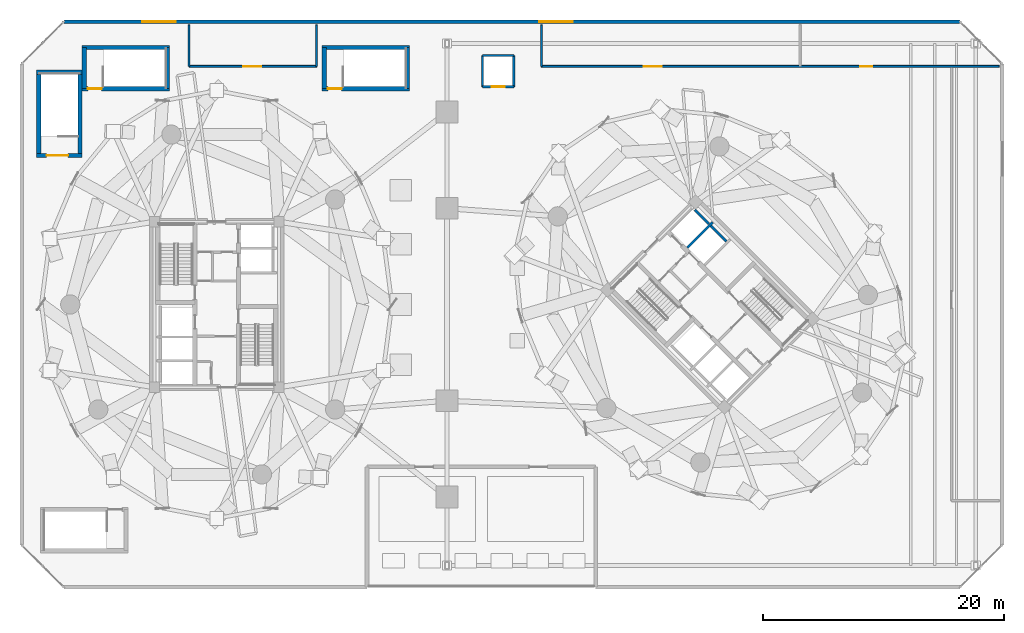
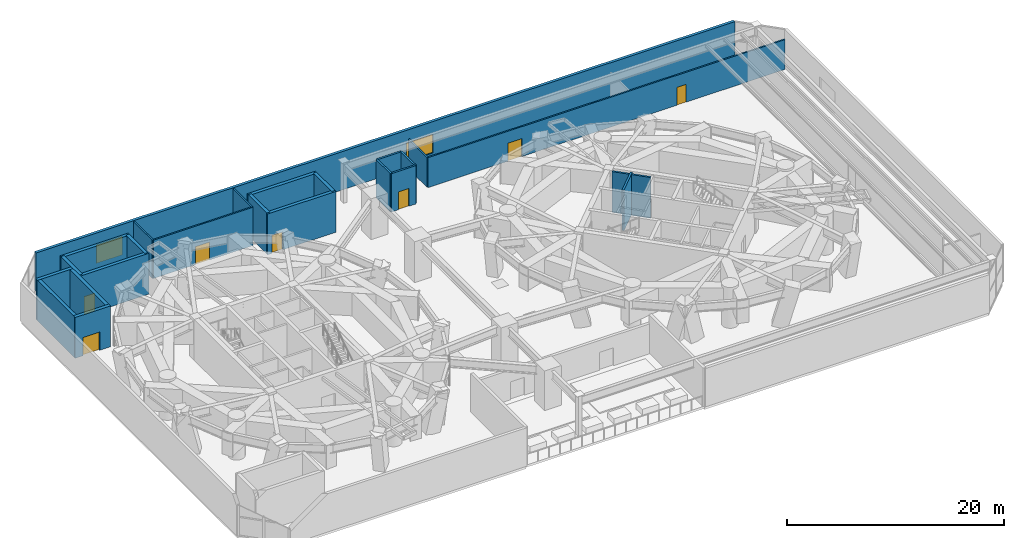
# One storey, part 19 of 25: 25 walls, 7 doors, 2 windows, 9 openings.
"""IFC4 building model written with IfcOpenShell, lengths in metres."""

import ifcopenshell
import ifcopenshell.guid

model = None  # the IFC model being written
_history = None  # IfcOwnerHistory: only IFC2X3 demands one
_inside = {}  # id of a spatial element -> (the spatial element, [elements in it])
_under = {}  # id of a project, library or spatial element -> (it, [spatial elements below it])
_declared = {}  # id of a project -> (the project, [libraries it declares])
_typed = {}  # id of a type object -> (the type object, [elements of that type])
_made_of = {}  # id of a material, layer set ... -> (it, [elements and type objects made of it])


def new_model(schema):
    """Start an empty IFC model of exactly this schema.

    Asked for "IFC4X3", IfcOpenShell would pick the latest addendum, in which some entities
    have other attributes; the version numbers below select the first issue.
    IFC2X3 requires an IfcOwnerHistory on every rooted entity: one is made here for all.
    """
    global model, _history
    if schema == "IFC4X3":
        model = ifcopenshell.file(schema_version=(4, 3, 0, 0))
    else:
        model = ifcopenshell.file(schema=schema)
    _inside.clear()
    _under.clear()
    _declared.clear()
    _typed.clear()
    _made_of.clear()
    _history = None
    if model.schema == "IFC2X3":
        org = make("IfcOrganization", Name="unknown")
        user = make(
            "IfcPersonAndOrganization",
            ThePerson=make("IfcPerson", FamilyName="unknown"),
            TheOrganization=org,
        )
        app = make(
            "IfcApplication",
            ApplicationDeveloper=org,
            Version="unknown",
            ApplicationFullName="unknown",
            ApplicationIdentifier="unknown",
        )
        _history = make(
            "IfcOwnerHistory",
            OwningUser=user,
            OwningApplication=app,
            ChangeAction="ADDED",
            CreationDate=0,
        )
    return model


def make(cls, **values):
    """One entity of the class cls with the attributes given. An attribute that is None is left unset."""
    return model.create_entity(
        cls, **{name: value for name, value in values.items() if value is not None}
    )


def rooted(cls, **values):
    """An entity with a GlobalId (a new one), such as an element, a storey or a relation."""
    return make(cls, GlobalId=ifcopenshell.guid.new(), OwnerHistory=_history, **values)


def si_unit(unit_type, name, prefix=None):
    """IfcSIUnit, for example si_unit("LENGTHUNIT", "METRE", prefix="MILLI")."""
    return make("IfcSIUnit", UnitType=unit_type, Prefix=prefix, Name=name)


def assignment(units):
    """IfcUnitAssignment: the units of a project."""
    return None if units is None else make("IfcUnitAssignment", Units=units)


def point(xyz):
    """IfcCartesianPoint."""
    return None if xyz is None else make("IfcCartesianPoint", Coordinates=xyz)


def direction(xyz):
    """IfcDirection."""
    return None if xyz is None else make("IfcDirection", DirectionRatios=xyz)


def frame(location, z_axis=None, x_axis=None):
    """IfcAxis2Placement3D, a coordinate frame: its origin and axes. An axis left out is left unset."""
    return make(
        "IfcAxis2Placement3D",
        Location=point(location),
        Axis=direction(z_axis),
        RefDirection=direction(x_axis),
    )


def frame_2d(location, x_axis=None):
    """IfcAxis2Placement2D, a coordinate frame in the plane: its origin and x axis."""
    return make(
        "IfcAxis2Placement2D", Location=point(location), RefDirection=direction(x_axis)
    )


def origin():
    """The frame at (0, 0, 0) with its axes left unset."""
    return frame((0.0, 0.0, 0.0))


def place(relative_to, where):
    """IfcLocalPlacement: puts the frame where relative to a parent placement (None: the world)."""
    return make(
        "IfcLocalPlacement", PlacementRelTo=relative_to, RelativePlacement=where
    )


def context(
    kind, dimensions, precision=None, world=None, true_north=None, identifier=None
):
    """IfcGeometricRepresentationContext, for example the 3D "Model" context."""
    return make(
        "IfcGeometricRepresentationContext",
        ContextIdentifier=identifier,
        ContextType=kind,
        CoordinateSpaceDimension=dimensions,
        Precision=precision,
        WorldCoordinateSystem=world,
        TrueNorth=true_north,
    )


def subcontext(parent, identifier, kind, view, scale=None):
    """IfcGeometricRepresentationSubContext, for example "Body" below "Model"."""
    return make(
        "IfcGeometricRepresentationSubContext",
        ContextIdentifier=identifier,
        ContextType=kind,
        ParentContext=parent,
        TargetScale=scale,
        TargetView=view,
    )


def project(units=None, contexts=None):
    """IfcProject with its units and contexts."""
    return rooted(
        "IfcProject",
        Name="project",
        RepresentationContexts=contexts,
        UnitsInContext=assignment(units),
    )


def spatial(cls, under=None, at=None, **own):
    """A site, building, storey or space (cls), placed at a placement, below another one or the project."""
    s = rooted(cls, ObjectPlacement=at, **own)
    if under is not None:
        _under.setdefault(under.id(), (under, []))[1].append(s)
    return s


def profile(cls, at=None, kind="AREA", **sizes):
    """A parametric profile (cls). Its sizes go by their IFC names, for example OverallWidth=200.0."""
    return make(cls, ProfileType=kind, Position=at, **sizes)


def rectangle(**sizes):
    """IfcRectangleProfileDef."""
    return profile("IfcRectangleProfileDef", **sizes)


def extrude(swept, where, along, depth):
    """IfcExtrudedAreaSolid: the profile swept, set in the frame where, extruded along a direction by depth."""
    return make(
        "IfcExtrudedAreaSolid",
        SweptArea=swept,
        Position=where,
        ExtrudedDirection=direction(along),
        Depth=depth,
    )


def shape(context_of_items, identifier, shape_type, items):
    """IfcShapeRepresentation: the items that make up one representation, for example the "Body"."""
    return make(
        "IfcShapeRepresentation",
        ContextOfItems=context_of_items,
        RepresentationIdentifier=identifier,
        RepresentationType=shape_type,
        Items=items,
    )


def source(mapping_origin, context_of_items, identifier, shape_type, items):
    """IfcRepresentationMap: a shape defined once, which mapped items show again and again."""
    return make(
        "IfcRepresentationMap",
        MappingOrigin=mapping_origin,
        MappedRepresentation=shape(context_of_items, identifier, shape_type, items),
    )


def transform(
    local_origin,
    x_axis=None,
    y_axis=None,
    z_axis=None,
    scale=None,
    scale2=None,
    scale3=None,
    uniform=True,
):
    """IfcCartesianTransformationOperator3D, or its non-uniform kind. x_axis, y_axis, z_axis: its Axis1, 2, 3."""
    if uniform:
        return make(
            "IfcCartesianTransformationOperator3D",
            Axis1=direction(x_axis),
            Axis2=direction(y_axis),
            LocalOrigin=point(local_origin),
            Scale=scale,
            Axis3=direction(z_axis),
        )
    return make(
        "IfcCartesianTransformationOperator3DnonUniform",
        Axis1=direction(x_axis),
        Axis2=direction(y_axis),
        LocalOrigin=point(local_origin),
        Scale=scale,
        Axis3=direction(z_axis),
        Scale2=scale2,
        Scale3=scale3,
    )


def mapped(mapping_source, mapping_target):
    """IfcMappedItem: shows the shape of a source again, moved by a transform."""
    return make(
        "IfcMappedItem", MappingSource=mapping_source, MappingTarget=mapping_target
    )


def material(Name=None, Category=None):
    """IfcMaterial."""
    return make("IfcMaterial", Name=Name, Category=Category)


def layer(
    of_material, thickness, ventilated=None, Name=None, Category=None, Priority=None
):
    """IfcMaterialLayer: one layer of a wall or slab, of a material (None: an air gap)."""
    return make(
        "IfcMaterialLayer",
        Material=of_material,
        LayerThickness=thickness,
        IsVentilated=ventilated,
        Name=Name,
        Category=Category,
        Priority=Priority,
    )


def layer_set(layers, Name=None):
    """IfcMaterialLayerSet."""
    return make("IfcMaterialLayerSet", MaterialLayers=layers, LayerSetName=Name)


def made_of(thing, what):
    """Note that an element or type object is made of a material, layer set ...; save() writes the relation."""
    if what is not None:
        _made_of.setdefault(what.id(), (what, []))[1].append(thing)
    return thing


def type_object(cls, material=None, **own):
    """A type object (cls), such as IfcWallType, which elements share."""
    return made_of(rooted(cls, **own), material)


def element(
    cls,
    number,
    at=None,
    inside=None,
    cuts=None,
    type_object=None,
    material=None,
    context=None,
    identifier="Body",
    shape_type=None,
    held_by="IfcProductDefinitionShape",
    body=None,
    shapes=None,
    **own,
):
    """One element of the class cls, such as IfcWall. Its Tag is "e" and its number.

    at: its placement. inside: the storey or other place that contains it. cuts: it is an
    opening in that element (IfcRelVoidsElement). A single representation is given by context,
    identifier, shape_type and body (its items); several are given by shapes. held_by: the class
    of the entity that holds the representations. save() writes the other relations.
    """
    e = rooted(cls, Tag="e%d" % number, ObjectPlacement=at, **own)
    if body is not None:
        shapes = [shape(context, identifier, shape_type, body)]
    if shapes is not None:
        e.Representation = make(held_by, Representations=shapes)
    if inside is not None:
        _inside.setdefault(inside.id(), (inside, []))[1].append(e)
    if cuts is not None:
        rooted(
            "IfcRelVoidsElement", RelatingBuildingElement=cuts, RelatedOpeningElement=e
        )
    if type_object is not None:
        _typed.setdefault(type_object.id(), (type_object, []))[1].append(e)
    return made_of(e, material)


def fill(opening, filler):
    """IfcRelFillsElement: the door or window that sits in an opening."""
    return rooted(
        "IfcRelFillsElement",
        RelatingOpeningElement=opening,
        RelatedBuildingElement=filler,
    )


def aggregate(whole, parts):
    """IfcRelAggregates: a whole, such as a stair, and the parts it consists of."""
    return rooted("IfcRelAggregates", RelatingObject=whole, RelatedObjects=parts)


def save(model, path):
    """Write the relations noted so far, then the file.

    IfcRelAggregates (storeys below a building ...), IfcRelContainedInSpatialStructure (elements
    in a storey), IfcRelDefinesByType, IfcRelAssociatesMaterial and IfcRelDeclares: one each for
    every whole, place, type object, material and project.
    """
    for whole, parts in _under.values():
        aggregate(whole, parts)
    for where, things in _inside.values():
        rooted(
            "IfcRelContainedInSpatialStructure",
            RelatedElements=things,
            RelatingStructure=where,
        )
    for kind, things in _typed.values():
        rooted("IfcRelDefinesByType", RelatedObjects=things, RelatingType=kind)
    for what, things in _made_of.values():
        rooted("IfcRelAssociatesMaterial", RelatedObjects=things, RelatingMaterial=what)
    for by, libraries in _declared.values():
        rooted("IfcRelDeclares", RelatingContext=by, RelatedDefinitions=libraries)
    model.write(path)


model = new_model("IFC4")

# Units and contexts
model_context = context("Model", 3, precision=1e-05, world=origin(), true_north=direction((0.0, 1.0)))
body_context = subcontext(model_context, "Body", "Model", "MODEL_VIEW")
ifc_project = project(units=[si_unit("LENGTHUNIT", "METRE"), si_unit("AREAUNIT", "SQUARE_METRE"), si_unit("VOLUMEUNIT", "CUBIC_METRE"), si_unit("PLANEANGLEUNIT", "RADIAN"), si_unit("MASSUNIT", "GRAM", prefix="KILO")], contexts=[model_context])

# Site, building, storey
site_placement = place(None, origin())
site = spatial("IfcSite", under=ifc_project, at=site_placement, CompositionType="ELEMENT")
building_placement = place(site_placement, origin())
building = spatial("IfcBuilding", under=site, at=building_placement, Name="Cununo Teusaquillo Station Towers", CompositionType="ELEMENT")
storey_placement = place(building_placement, frame((0.0, 0.0, 17.39990234375)))
storey = spatial("IfcBuildingStorey", under=building, at=storey_placement, Name="L04", CompositionType="ELEMENT", Elevation=17.39990234375)

# Walls
ifc_material_1 = material(Name="Concrete C50/60", Category="concrete")
ifc_layer_1 = layer(ifc_material_1, 0.199951171875)
ifc_layer_set_1 = layer_set([ifc_layer_1], Name="Concrete C50/60")
wall_type_1 = type_object("IfcWallType", Name="WL-CORE-200", PredefinedType="SHEAR", material=ifc_layer_set_1)
wall_1_placement = place(storey_placement, frame((55.615478515625, 29.22705078125, 0.0), z_axis=(0.0, 0.0, 1.0), x_axis=(0.707147878904, 0.70706568108, 0.0)))
element("IfcWall", 1, at=wall_1_placement, inside=storey, type_object=wall_type_1, Name="L04 Tower B Low-Rise Lift Hoistway Divider Shear Wall", PredefinedType="SHEAR", context=body_context, shape_type="SweptSolid", body=[
    extrude(rectangle(XDim=2.97021484375, YDim=0.199951171875, at=frame_2d((1.485107421875, 0.0))), origin(), (0.0, 0.0, 1.0), 4.60009765625),
])
wall_2_placement = place(storey_placement, frame((58.86474609375, 29.75390625, 0.0), z_axis=(0.0, 0.0, 1.0), x_axis=(-0.707174411312, 0.707039144592, 0.0)))
element("IfcWall", 2, at=wall_2_placement, inside=storey, type_object=wall_type_1, Name="L04 Tower B Low-Rise Lift 1 Shaft Rear Shear Wall", PredefinedType="SHEAR", context=body_context, shape_type="SweptSolid", body=[
    extrude(rectangle(XDim=1.804931640625, YDim=0.199951171875, at=frame_2d((0.90234375, 0.0))), origin(), (0.0, 0.0, 1.0), 4.60009765625),
])
wall_3_placement = place(storey_placement, frame((57.418701171875, 31.19970703125, 0.0), z_axis=(0.0, 0.0, 1.0), x_axis=(-0.707032117043, 0.707181437447, 0.0)))
element("IfcWall", 3, at=wall_3_placement, inside=storey, type_object=wall_type_1, Name="L04 Tower B Low-Rise Lift 2 Shaft Rear Shear Wall", PredefinedType="SHEAR", context=body_context, shape_type="SweptSolid", body=[
    extrude(rectangle(XDim=1.635009765625, YDim=0.199951171875, at=frame_2d((0.8173828125, 0.0))), origin(), (0.0, 0.0, 1.0), 4.60009765625),
])

# Wall, opening, door
ifc_material_2 = material(Name="Concrete C50/60", Category="concrete")
ifc_layer_2 = layer(ifc_material_2, 0.35009765625)
ifc_layer_set_2 = layer_set([ifc_layer_2], Name="Concrete C50/60")
wall_type_2 = type_object("IfcWallType", Name="WL-CORE-350", PredefinedType="SHEAR", material=ifc_layer_set_2)
wall_4_placement = place(storey_placement, frame((25.260009765625, 42.43505859375, 0.0), z_axis=(0.0, 0.0, 1.0), x_axis=(1.0, 0.0, 0.0)))
wall_4 = element("IfcWall", 4, at=wall_4_placement, inside=storey, type_object=wall_type_2, Name="L04 Podium North Exit Stair Concrete Shaft Wall S", PredefinedType="SHEAR", context=body_context, shape_type="SweptSolid", body=[
    extrude(rectangle(XDim=7.280029296875, YDim=0.35009765625, at=frame_2d((3.64013671875, 0.0))), origin(), (0.0, 0.0, 1.0), 4.60009765625),
])
shared_shape_1 = source(origin(), body_context, "Body", "SweptSolid", [
    extrude(rectangle(XDim=1.14990234375, YDim=2.02001953125, at=frame_2d((0.574951171875, 1.010009765625))), frame((0.0, 0.18505859375, 0.0), z_axis=(0.0, -1.0, 0.0), x_axis=(1.0, 0.0, 0.0)), (0.0, 0.0, 1.0), 0.3701171875),
])
opening_1_placement = place(wall_4_placement, frame((0.47998046875, 0.0, 0.0)))
opening_1 = element("IfcOpeningElement", 5, at=opening_1_placement, cuts=wall_4, Name="Opening D-ST1", PredefinedType="OPENING", context=body_context, shape_type="MappedRepresentation", body=[
    mapped(shared_shape_1, transform((0.0, 0.0, 0.0), x_axis=(1.0, 0.0, 0.0), y_axis=(0.0, 1.0, 0.0), z_axis=(0.0, 0.0, 1.0), scale=1.0)),
])
ifc_material_3 = material(Name="Galvanised fire-rated hollow steel door assembly", Category="steel")
door_type_1 = type_object("IfcDoorType", Name="DR-STAIR-1150", OperationType="NOTDEFINED", PredefinedType="DOOR", material=ifc_material_3)
shared_shape_2 = source(origin(), body_context, "Body", "SweptSolid", [
    extrude(rectangle(XDim=1.14990234375, YDim=2.02001953125, at=frame_2d((0.574951171875, 1.010009765625))), frame((0.0, 0.02490234375, 0.0), z_axis=(0.0, -1.0, 0.0), x_axis=(1.0, 0.0, 0.0)), (0.0, 0.0, 1.0), 0.050048828125),
])
door_1_placement = place(opening_1_placement, origin())
door_1 = element("IfcDoor", 6, at=door_1_placement, inside=storey, type_object=door_type_1, Name="L04 North Podium Exit Stair Door", OperationType="SINGLE_SWING_LEFT", OverallHeight=2.02001953125, OverallWidth=1.14990234375, PredefinedType="DOOR", context=body_context, shape_type="MappedRepresentation", body=[
    mapped(shared_shape_2, transform((0.0, 0.0, 0.0), x_axis=(1.0, 0.0, 0.0), y_axis=(0.0, 1.0, 0.0), z_axis=(0.0, 0.0, 1.0), scale=1.0)),
])
fill(opening_1, door_1)

# Walls
wall_5_placement = place(storey_placement, frame((25.260009765625, 45.864990234375, 0.0), z_axis=(0.0, 0.0, 1.0), x_axis=(1.0, 0.0, 0.0)))
element("IfcWall", 7, at=wall_5_placement, inside=storey, type_object=wall_type_2, Name="L04 Podium North Exit Stair Concrete Shaft Wall N", PredefinedType="SHEAR", context=body_context, shape_type="SweptSolid", body=[
    extrude(rectangle(XDim=7.280029296875, YDim=0.35009765625, at=frame_2d((3.64013671875, 0.0))), origin(), (0.0, 0.0, 1.0), 4.60009765625),
])
for number, where, z_axis, x_axis, name in (
    (8, (25.43505859375, 42.43505859375, 0.0), (0.0, 0.0, 1.0), (0.0, 1.0, 0.0), "L04 Podium North Exit Stair Concrete Shaft Wall W"),
    (9, (32.364990234375, 42.43505859375, 0.0), (0.0, 0.0, 1.0), (0.0, 1.0, 0.0), "L04 Podium North Exit Stair Concrete Shaft Wall E"),
):
    element("IfcWall", number, at=place(storey_placement, frame(where, z_axis=z_axis, x_axis=x_axis)), inside=storey, type_object=wall_type_2, Name=name, PredefinedType="SHEAR", context=body_context, shape_type="SweptSolid", body=[
        extrude(rectangle(XDim=3.429931640625, YDim=0.35009765625, at=frame_2d((1.71484375, 0.0))), origin(), (0.0, 0.0, 1.0), 4.60009765625),
    ])

# Wall, opening, door
wall_6_placement = place(storey_placement, frame((1.5400390625, 36.885009765625, 0.0), z_axis=(0.0, 0.0, 1.0), x_axis=(1.0, 0.0, 0.0)))
wall_6 = element("IfcWall", 10, at=wall_6_placement, inside=storey, type_object=wall_type_2, Name="L04 Podium West Exit Stair Concrete Shaft Wall S", PredefinedType="SHEAR", context=body_context, shape_type="SweptSolid", body=[
    extrude(rectangle(XDim=3.780029296875, YDim=0.35009765625, at=frame_2d((1.89013671875, 0.0))), origin(), (0.0, 0.0, 1.0), 4.60009765625),
])
shared_shape_3 = source(origin(), body_context, "Body", "SweptSolid", [
    extrude(rectangle(XDim=1.800048828125, YDim=2.050048828125, at=frame_2d((0.89990234375, 1.02490234375))), frame((0.0, 0.18505859375, 0.0), z_axis=(0.0, -1.0, 0.0), x_axis=(1.0, 0.0, 0.0)), (0.0, 0.0, 1.0), 0.3701171875),
])
opening_2_placement = place(wall_6_placement, frame((0.81494140625, 0.0, 0.0)))
opening_2 = element("IfcOpeningElement", 11, at=opening_2_placement, cuts=wall_6, Name="Opening D-BG1", PredefinedType="OPENING", context=body_context, shape_type="MappedRepresentation", body=[
    mapped(shared_shape_3, transform((0.0, 0.0, 0.0), x_axis=(1.0, 0.0, 0.0), y_axis=(0.0, 1.0, 0.0), z_axis=(0.0, 0.0, 1.0), scale=1.0)),
])
ifc_material_4 = material(Name="Galvanised fire-rated hollow steel door assembly", Category="steel")
door_type_2 = type_object("IfcDoorType", Name="DR-BRIDGE-1800", OperationType="DOUBLE_DOOR_SINGLE_SWING", PredefinedType="DOOR", material=ifc_material_4)
shared_shape_4 = source(origin(), body_context, "Body", "SweptSolid", [
    extrude(rectangle(XDim=1.800048828125, YDim=2.050048828125, at=frame_2d((0.89990234375, 1.02490234375))), frame((0.0, 0.02490234375, 0.0), z_axis=(0.0, -1.0, 0.0), x_axis=(1.0, 0.0, 0.0)), (0.0, 0.0, 1.0), 0.050048828125),
])
door_2_placement = place(opening_2_placement, origin())
door_2 = element("IfcDoor", 12, at=door_2_placement, inside=storey, type_object=door_type_2, Name="L04 West Podium Exit Stair Door", OperationType="DOUBLE_DOOR_SINGLE_SWING", OverallHeight=2.050048828125, OverallWidth=1.800048828125, PredefinedType="DOOR", context=body_context, shape_type="MappedRepresentation", body=[
    mapped(shared_shape_4, transform((0.0, 0.0, 0.0), x_axis=(1.0, 0.0, 0.0), y_axis=(0.0, 1.0, 0.0), z_axis=(0.0, 0.0, 1.0), scale=1.0)),
])
fill(opening_2, door_2)

# Walls
wall_7_placement = place(storey_placement, frame((1.5400390625, 43.81494140625, 0.0), z_axis=(0.0, 0.0, 1.0), x_axis=(1.0, 0.0, 0.0)))
element("IfcWall", 13, at=wall_7_placement, inside=storey, type_object=wall_type_2, Name="L04 Podium West Exit Stair Concrete Shaft Wall N", PredefinedType="SHEAR", context=body_context, shape_type="SweptSolid", body=[
    extrude(rectangle(XDim=3.780029296875, YDim=0.35009765625, at=frame_2d((1.89013671875, 0.0))), origin(), (0.0, 0.0, 1.0), 4.60009765625),
])
for number, where, z_axis, x_axis, name in (
    (14, (1.715087890625, 36.885009765625, 0.0), (0.0, 0.0, 1.0), (0.0, 1.0, 0.0), "L04 Podium West Exit Stair Concrete Shaft Wall W"),
    (15, (5.14501953125, 36.885009765625, 0.0), (0.0, 0.0, 1.0), (0.0, 1.0, 0.0), "L04 Podium West Exit Stair Concrete Shaft Wall E"),
):
    element("IfcWall", number, at=place(storey_placement, frame(where, z_axis=z_axis, x_axis=x_axis)), inside=storey, type_object=wall_type_2, Name=name, PredefinedType="SHEAR", context=body_context, shape_type="SweptSolid", body=[
        extrude(rectangle(XDim=6.929931640625, YDim=0.35009765625, at=frame_2d((3.46484375, 0.0))), origin(), (0.0, 0.0, 1.0), 4.60009765625),
    ])

# Wall, opening, door
wall_8_placement = place(storey_placement, frame((5.31005859375, 42.43505859375, 0.0), z_axis=(0.0, 0.0, 1.0), x_axis=(1.0, 0.0, 0.0)))
wall_8 = element("IfcWall", 16, at=wall_8_placement, inside=storey, type_object=wall_type_2, Name="L04 Podium North-West Exit Stair Concrete Shaft Wall S", PredefinedType="SHEAR", context=body_context, shape_type="SweptSolid", body=[
    extrude(rectangle(XDim=7.280029296875, YDim=0.35009765625, at=frame_2d((3.64013671875, 0.0))), origin(), (0.0, 0.0, 1.0), 4.60009765625),
])
opening_3_placement = place(wall_8_placement, frame((0.47998046875, 0.0, 0.0)))
opening_3 = element("IfcOpeningElement", 17, at=opening_3_placement, cuts=wall_8, Name="Opening D-ST1", PredefinedType="OPENING", context=body_context, shape_type="MappedRepresentation", body=[
    mapped(shared_shape_1, transform((0.0, 0.0, 0.0), x_axis=(1.0, 0.0, 0.0), y_axis=(0.0, 1.0, 0.0), z_axis=(0.0, 0.0, 1.0), scale=1.0)),
])
door_3_placement = place(opening_3_placement, origin())
door_3 = element("IfcDoor", 18, at=door_3_placement, inside=storey, type_object=door_type_1, Name="L04 North-West Podium Exit Stair Door", OperationType="SINGLE_SWING_LEFT", OverallHeight=2.02001953125, OverallWidth=1.14990234375, PredefinedType="DOOR", context=body_context, shape_type="MappedRepresentation", body=[
    mapped(shared_shape_2, transform((0.0, 0.0, 0.0), x_axis=(1.0, 0.0, 0.0), y_axis=(0.0, 1.0, 0.0), z_axis=(0.0, 0.0, 1.0), scale=1.0)),
])
fill(opening_3, door_3)

# Walls
wall_9_placement = place(storey_placement, frame((5.31005859375, 45.864990234375, 0.0), z_axis=(0.0, 0.0, 1.0), x_axis=(1.0, 0.0, 0.0)))
element("IfcWall", 19, at=wall_9_placement, inside=storey, type_object=wall_type_2, Name="L04 Podium North-West Exit Stair Concrete Shaft Wall N", PredefinedType="SHEAR", context=body_context, shape_type="SweptSolid", body=[
    extrude(rectangle(XDim=7.280029296875, YDim=0.35009765625, at=frame_2d((3.64013671875, 0.0))), origin(), (0.0, 0.0, 1.0), 4.60009765625),
])
for number, where, z_axis, x_axis, name in (
    (20, (5.485107421875, 42.43505859375, 0.0), (0.0, 0.0, 1.0), (0.0, 1.0, 0.0), "L04 Podium North-West Exit Stair Concrete Shaft Wall W"),
    (21, (12.4150390625, 42.43505859375, 0.0), (0.0, 0.0, 1.0), (0.0, 1.0, 0.0), "L04 Podium North-West Exit Stair Concrete Shaft Wall E"),
):
    element("IfcWall", number, at=place(storey_placement, frame(where, z_axis=z_axis, x_axis=x_axis)), inside=storey, type_object=wall_type_2, Name=name, PredefinedType="SHEAR", context=body_context, shape_type="SweptSolid", body=[
        extrude(rectangle(XDim=3.429931640625, YDim=0.35009765625, at=frame_2d((1.71484375, 0.0))), origin(), (0.0, 0.0, 1.0), 4.60009765625),
    ])

# Wall, openings, windows
ifc_material_5 = material(Name="Precast concrete C40/50", Category="concrete")
ifc_layer_3 = layer(ifc_material_5, 0.300048828125)
ifc_layer_set_3 = layer_set([ifc_layer_3], Name="Precast concrete C40/50")
wall_type_3 = type_object("IfcWallType", Name="WL-EXT-300", PredefinedType="SOLIDWALL", material=ifc_layer_set_3)
wall_10_placement = place(storey_placement, frame((3.800048828125, 48.0, 0.0), z_axis=(0.0, 0.0, 1.0), x_axis=(1.0, 0.0, 0.0)))
wall_10 = element("IfcWall", 22, at=wall_10_placement, inside=storey, type_object=wall_type_3, Name="L04 Station Podium Facade Wall 3", PredefinedType="SOLIDWALL", context=body_context, shape_type="SweptSolid", body=[
    extrude(rectangle(XDim=74.5, YDim=0.300048828125, at=frame_2d((37.25, 0.0))), origin(), (0.0, 0.0, 1.0), 4.3251953125),
])
shared_shape_5 = source(origin(), body_context, "Body", "SweptSolid", [
    extrude(rectangle(XDim=2.800048828125, YDim=2.10009765625, at=frame_2d((1.39990234375, 1.050048828125))), frame((0.0, 0.159912109375, 0.0), z_axis=(0.0, -1.0, 0.0), x_axis=(1.0, 0.0, 0.0)), (0.0, 0.0, 1.0), 0.320068359375),
])
opening_4_placement = place(wall_10_placement, frame((6.5, 0.0, 0.800048828125)))
opening_4 = element("IfcOpeningElement", 23, at=opening_4_placement, cuts=wall_10, Name="Opening WN-05", PredefinedType="OPENING", context=body_context, shape_type="MappedRepresentation", body=[
    mapped(shared_shape_5, transform((0.0, 0.0, 0.0), x_axis=(1.0, 0.0, 0.0), y_axis=(0.0, 1.0, 0.0), z_axis=(0.0, 0.0, 1.0), scale=1.0)),
])
opening_5_placement = place(wall_10_placement, frame((39.5, 0.0, 0.800048828125)))
opening_5 = element("IfcOpeningElement", 24, at=opening_5_placement, cuts=wall_10, Name="Opening WN-05", PredefinedType="OPENING", context=body_context, shape_type="MappedRepresentation", body=[
    mapped(shared_shape_5, transform((0.0, 0.0, 0.0), x_axis=(1.0, 0.0, 0.0), y_axis=(0.0, 1.0, 0.0), z_axis=(0.0, 0.0, 1.0), scale=1.0)),
])
ifc_material_6 = material(Name="Laminated acoustic clear low-E glazing", Category="glass")
window_type = type_object("IfcWindowType", Name="WIN-POD-2800", PartitioningType="TRIPLE_PANEL_VERTICAL", PredefinedType="WINDOW", material=ifc_material_6)
shared_shape_6 = source(origin(), body_context, "Body", "SweptSolid", [
    extrude(rectangle(XDim=2.800048828125, YDim=2.10009765625, at=frame_2d((1.39990234375, 1.050048828125))), frame((0.0, 0.030029296875, 0.0), z_axis=(0.0, -1.0, 0.0), x_axis=(1.0, 0.0, 0.0)), (0.0, 0.0, 1.0), 0.06005859375),
])
window_1_placement = place(opening_4_placement, origin())
window_1 = element("IfcWindow", 25, at=window_1_placement, inside=storey, type_object=window_type, Name="L04 Podium Ribbon Window 3.1", OverallHeight=2.10009765625, OverallWidth=2.800048828125, PartitioningType="TRIPLE_PANEL_VERTICAL", PredefinedType="WINDOW", context=body_context, shape_type="MappedRepresentation", body=[
    mapped(shared_shape_6, transform((0.0, 0.0, 0.0), x_axis=(1.0, 0.0, 0.0), y_axis=(0.0, 1.0, 0.0), z_axis=(0.0, 0.0, 1.0), scale=1.0)),
])
fill(opening_4, window_1)
window_2_placement = place(opening_5_placement, origin())
window_2 = element("IfcWindow", 26, at=window_2_placement, inside=storey, type_object=window_type, Name="L04 Podium Ribbon Window 3.4", OverallHeight=2.10009765625, OverallWidth=2.800048828125, PartitioningType="TRIPLE_PANEL_VERTICAL", PredefinedType="WINDOW", context=body_context, shape_type="MappedRepresentation", body=[
    mapped(shared_shape_6, transform((0.0, 0.0, 0.0), x_axis=(1.0, 0.0, 0.0), y_axis=(0.0, 1.0, 0.0), z_axis=(0.0, 0.0, 1.0), scale=1.0)),
])
fill(opening_5, window_2)

# Wall
ifc_material_7 = material(Name="Fire-rated gypsum plasterboard partition assembly", Category="gypsum")
ifc_layer_4 = layer(ifc_material_7, 0.159912109375)
ifc_layer_set_4 = layer_set([ifc_layer_4], Name="Fire-rated gypsum plasterboard partition assembly")
wall_type_4 = type_object("IfcWallType", Name="WL-PART-160", PredefinedType="PARTITIONING", material=ifc_layer_set_4)
wall_11_placement = place(storey_placement, frame((14.199951171875, 44.300048828125, 0.0), z_axis=(0.0, 0.0, 1.0), x_axis=(0.0, 1.0, 0.0)))
element("IfcWall", 27, at=wall_11_placement, inside=storey, type_object=wall_type_4, Name="L04 Botanical Wintergarden West Wall", PredefinedType="PARTITIONING", context=body_context, shape_type="SweptSolid", body=[
    extrude(rectangle(XDim=3.449951171875, YDim=0.159912109375, at=frame_2d((1.72509765625, 0.0))), origin(), (0.0, 0.0, 1.0), 4.3251953125),
])

# Wall, opening, door
wall_12_placement = place(storey_placement, frame((14.199951171875, 44.300048828125, 0.0), z_axis=(0.0, 0.0, 1.0), x_axis=(1.0, 0.0, 0.0)))
wall_12 = element("IfcWall", 28, at=wall_12_placement, inside=storey, type_object=wall_type_4, Name="L04 Botanical Wintergarden South Wall", PredefinedType="PARTITIONING", context=body_context, shape_type="SweptSolid", body=[
    extrude(rectangle(XDim=10.60009765625, YDim=0.159912109375, at=frame_2d((5.300048828125, 0.0))), origin(), (0.0, 0.0, 1.0), 4.3251953125),
])
shared_shape_7 = source(origin(), body_context, "Body", "SweptSolid", [
    extrude(rectangle(XDim=1.5, YDim=2.02001953125, at=frame_2d((0.75, 1.010009765625))), frame((0.0, 0.08984375, 0.0), z_axis=(0.0, -1.0, 0.0), x_axis=(1.0, 0.0, 0.0)), (0.0, 0.0, 1.0), 0.179931640625),
])
opening_6_placement = place(wall_12_placement, frame((4.5, 0.0, 0.0)))
opening_6 = element("IfcOpeningElement", 29, at=opening_6_placement, cuts=wall_12, Name="Opening D-LB1", PredefinedType="OPENING", context=body_context, shape_type="MappedRepresentation", body=[
    mapped(shared_shape_7, transform((0.0, 0.0, 0.0), x_axis=(1.0, 0.0, 0.0), y_axis=(0.0, 1.0, 0.0), z_axis=(0.0, 0.0, 1.0), scale=1.0)),
])
ifc_material_8 = material(Name="Galvanised fire-rated hollow steel door assembly", Category="steel")
door_type_3 = type_object("IfcDoorType", Name="DR-LOBBY-1500", OperationType="DOUBLE_DOOR_SINGLE_SWING", PredefinedType="DOOR", material=ifc_material_8)
shared_shape_8 = source(origin(), body_context, "Body", "SweptSolid", [
    extrude(rectangle(XDim=1.5, YDim=2.02001953125, at=frame_2d((0.75, 1.010009765625))), frame((0.0, 0.02490234375, 0.0), z_axis=(0.0, -1.0, 0.0), x_axis=(1.0, 0.0, 0.0)), (0.0, 0.0, 1.0), 0.050048828125),
])
door_4_placement = place(opening_6_placement, origin())
door_4 = element("IfcDoor", 30, at=door_4_placement, inside=storey, type_object=door_type_3, Name="L04 Botanical Terrace Wintergarden Door", OperationType="DOUBLE_DOOR_SINGLE_SWING", OverallHeight=2.02001953125, OverallWidth=1.5, PredefinedType="DOOR", context=body_context, shape_type="MappedRepresentation", body=[
    mapped(shared_shape_8, transform((0.0, 0.0, 0.0), x_axis=(1.0, 0.0, 0.0), y_axis=(0.0, 1.0, 0.0), z_axis=(0.0, 0.0, 1.0), scale=1.0)),
])
fill(opening_6, door_4)

# Wall
wall_13_placement = place(storey_placement, frame((24.800048828125, 44.300048828125, 0.0), z_axis=(0.0, 0.0, 1.0), x_axis=(0.0, 1.0, 0.0)))
element("IfcWall", 31, at=wall_13_placement, inside=storey, type_object=wall_type_4, Name="L04 Botanical Wintergarden East Wall", PredefinedType="PARTITIONING", context=body_context, shape_type="SweptSolid", body=[
    extrude(rectangle(XDim=3.449951171875, YDim=0.159912109375, at=frame_2d((1.72509765625, 0.0))), origin(), (0.0, 0.0, 1.0), 4.3251953125),
])

# Wall, openings, doors
wall_14_placement = place(storey_placement, frame((43.5, 44.300048828125, 0.0), z_axis=(0.0, 0.0, 1.0), x_axis=(1.0, 0.0, 0.0)))
wall_14 = element("IfcWall", 32, at=wall_14_placement, inside=storey, type_object=wall_type_4, Name="L04 North Conservatory & Restroom Wall", PredefinedType="PARTITIONING", context=body_context, shape_type="SweptSolid", body=[
    extrude(rectangle(XDim=38.050048828125, YDim=0.159912109375, at=frame_2d((19.02490234375, 0.0))), origin(), (0.0, 0.0, 1.0), 3.369140625),
])
opening_7_placement = place(wall_14_placement, frame((8.5, 0.0, 0.0)))
opening_7 = element("IfcOpeningElement", 33, at=opening_7_placement, cuts=wall_14, Name="Opening D-LB1", PredefinedType="OPENING", context=body_context, shape_type="MappedRepresentation", body=[
    mapped(shared_shape_7, transform((0.0, 0.0, 0.0), x_axis=(1.0, 0.0, 0.0), y_axis=(0.0, 1.0, 0.0), z_axis=(0.0, 0.0, 1.0), scale=1.0)),
])
shared_shape_9 = source(origin(), body_context, "Body", "SweptSolid", [
    extrude(rectangle(XDim=1.0, YDim=2.014892578125, at=frame_2d((0.5, 1.00732421875))), frame((0.0, 0.08984375, 0.0), z_axis=(0.0, -1.0, 0.0), x_axis=(1.0, 0.0, 0.0)), (0.0, 0.0, 1.0), 0.179931640625),
])
opening_8_placement = place(wall_14_placement, frame((26.5, 0.0, 0.0)))
opening_8 = element("IfcOpeningElement", 34, at=opening_8_placement, cuts=wall_14, Name="Opening D-AC1", PredefinedType="OPENING", context=body_context, shape_type="MappedRepresentation", body=[
    mapped(shared_shape_9, transform((0.0, 0.0, 0.0), x_axis=(1.0, 0.0, 0.0), y_axis=(0.0, 1.0, 0.0), z_axis=(0.0, 0.0, 1.0), scale=1.0)),
])
door_5_placement = place(opening_7_placement, origin())
door_5 = element("IfcDoor", 35, at=door_5_placement, inside=storey, type_object=door_type_3, Name="L04 Conservatory Reading Salon Door", OperationType="DOUBLE_DOOR_SINGLE_SWING", OverallHeight=2.02001953125, OverallWidth=1.5, PredefinedType="DOOR", context=body_context, shape_type="MappedRepresentation", body=[
    mapped(shared_shape_8, transform((0.0, 0.0, 0.0), x_axis=(1.0, 0.0, 0.0), y_axis=(0.0, 1.0, 0.0), z_axis=(0.0, 0.0, 1.0), scale=1.0)),
])
fill(opening_7, door_5)
ifc_material_9 = material(Name="Acoustic solid-core hardwood leaf assembly", Category="wood")
door_type_4 = type_object("IfcDoorType", Name="DR-ACC-1000", OperationType="NOTDEFINED", PredefinedType="DOOR", material=ifc_material_9)
shared_shape_10 = source(origin(), body_context, "Body", "SweptSolid", [
    extrude(rectangle(XDim=1.0, YDim=2.014892578125, at=frame_2d((0.5, 1.00732421875))), frame((0.0, 0.02490234375, 0.0), z_axis=(0.0, -1.0, 0.0), x_axis=(1.0, 0.0, 0.0)), (0.0, 0.0, 1.0), 0.050048828125),
])
door_6_placement = place(opening_8_placement, origin())
door_6 = element("IfcDoor", 36, at=door_6_placement, inside=storey, type_object=door_type_4, Name="L04 Public & Accessible Restrooms Door", OperationType="SINGLE_SWING_LEFT", OverallHeight=2.014892578125, OverallWidth=1.0, PredefinedType="DOOR", context=body_context, shape_type="MappedRepresentation", body=[
    mapped(shared_shape_10, transform((0.0, 0.0, 0.0), x_axis=(1.0, 0.0, 0.0), y_axis=(0.0, 1.0, 0.0), z_axis=(0.0, 0.0, 1.0), scale=1.0)),
])
fill(opening_8, door_6)

# Wall
wall_15_placement = place(storey_placement, frame((43.5, 44.300048828125, 0.0), z_axis=(0.0, 0.0, 1.0), x_axis=(0.0, 1.0, 0.0)))
element("IfcWall", 37, at=wall_15_placement, inside=storey, type_object=wall_type_4, Name="L04 North Conservatory West Wall", PredefinedType="PARTITIONING", context=body_context, shape_type="SweptSolid", body=[
    extrude(rectangle(XDim=3.449951171875, YDim=0.159912109375, at=frame_2d((1.72509765625, 0.0))), origin(), (0.0, 0.0, 1.0), 3.369140625),
])

# Wall, opening, door
ifc_material_10 = material(Name="Fire-rated gypsum plasterboard partition assembly", Category="gypsum")
ifc_layer_5 = layer(ifc_material_10, 0.199951171875)
ifc_layer_set_5 = layer_set([ifc_layer_5], Name="Fire-rated gypsum plasterboard partition assembly")
wall_type_5 = type_object("IfcWallType", Name="WL-PART-200", PredefinedType="PARTITIONING", material=ifc_layer_set_5)
wall_16_placement = place(storey_placement, frame((38.60009765625, 42.60009765625, 0.0), z_axis=(0.0, 0.0, 1.0), x_axis=(1.0, 0.0, 0.0)))
wall_16 = element("IfcWall", 38, at=wall_16_placement, inside=storey, type_object=wall_type_5, Name="L04 Podium Lift Shaft Enclosure Wall S", PredefinedType="PARTITIONING", context=body_context, shape_type="SweptSolid", body=[
    extrude(rectangle(XDim=2.599853515625, YDim=0.199951171875, at=frame_2d((1.2998046875, 0.0))), origin(), (0.0, 0.0, 1.0), 4.3251953125),
])
shared_shape_11 = source(origin(), body_context, "Body", "SweptSolid", [
    extrude(rectangle(XDim=1.10009765625, YDim=2.014892578125, at=frame_2d((0.550048828125, 1.00732421875))), frame((0.0, 0.10986328125, 0.0), z_axis=(0.0, -1.0, 0.0), x_axis=(1.0, 0.0, 0.0)), (0.0, 0.0, 1.0), 0.219970703125),
])
opening_9_placement = place(wall_16_placement, frame((0.75, 0.0, 0.0)))
opening_9 = element("IfcOpeningElement", 39, at=opening_9_placement, cuts=wall_16, Name="Opening LD-01", PredefinedType="OPENING", context=body_context, shape_type="MappedRepresentation", body=[
    mapped(shared_shape_11, transform((0.0, 0.0, 0.0), x_axis=(1.0, 0.0, 0.0), y_axis=(0.0, 1.0, 0.0), z_axis=(0.0, 0.0, 1.0), scale=1.0)),
])
ifc_material_11 = material(Name="Galvanised fire-rated hollow steel door assembly", Category="steel")
door_type_5 = type_object("IfcDoorType", Name="DR-LIFT-1100", OperationType="SLIDING_TO_LEFT", PredefinedType="DOOR", material=ifc_material_11)
shared_shape_12 = source(origin(), body_context, "Body", "SweptSolid", [
    extrude(rectangle(XDim=1.10009765625, YDim=2.014892578125, at=frame_2d((0.550048828125, 1.00732421875))), frame((0.0, 0.02490234375, 0.0), z_axis=(0.0, -1.0, 0.0), x_axis=(1.0, 0.0, 0.0)), (0.0, 0.0, 1.0), 0.050048828125),
])
door_7_placement = place(opening_9_placement, origin())
door_7 = element("IfcDoor", 40, at=door_7_placement, inside=storey, type_object=door_type_5, Name="L04 Lift PL-POD1 Sliding Landing Door", OperationType="SLIDING_TO_LEFT", OverallHeight=2.014892578125, OverallWidth=1.10009765625, PredefinedType="DOOR", context=body_context, shape_type="MappedRepresentation", body=[
    mapped(shared_shape_12, transform((0.0, 0.0, 0.0), x_axis=(1.0, 0.0, 0.0), y_axis=(0.0, 1.0, 0.0), z_axis=(0.0, 0.0, 1.0), scale=1.0)),
])
fill(opening_9, door_7)

# Walls
for number, where, z_axis, x_axis, name in (
    (41, (38.60009765625, 45.199951171875, 0.0), (0.0, 0.0, 1.0), (1.0, 0.0, 0.0), "L04 Podium Lift Shaft Enclosure Wall N"),
    (42, (38.60009765625, 42.60009765625, 0.0), (0.0, 0.0, 1.0), (0.0, 1.0, 0.0), "L04 Podium Lift Shaft Enclosure Wall W"),
    (43, (41.199951171875, 42.60009765625, 0.0), (0.0, 0.0, 1.0), (0.0, 1.0, 0.0), "L04 Podium Lift Shaft Enclosure Wall E"),
):
    element("IfcWall", number, at=place(storey_placement, frame(where, z_axis=z_axis, x_axis=x_axis)), inside=storey, type_object=wall_type_5, Name=name, PredefinedType="PARTITIONING", context=body_context, shape_type="SweptSolid", body=[
        extrude(rectangle(XDim=2.599853515625, YDim=0.199951171875, at=frame_2d((1.2998046875, 0.0))), origin(), (0.0, 0.0, 1.0), 4.3251953125),
    ])

save(model, "model.ifc")
